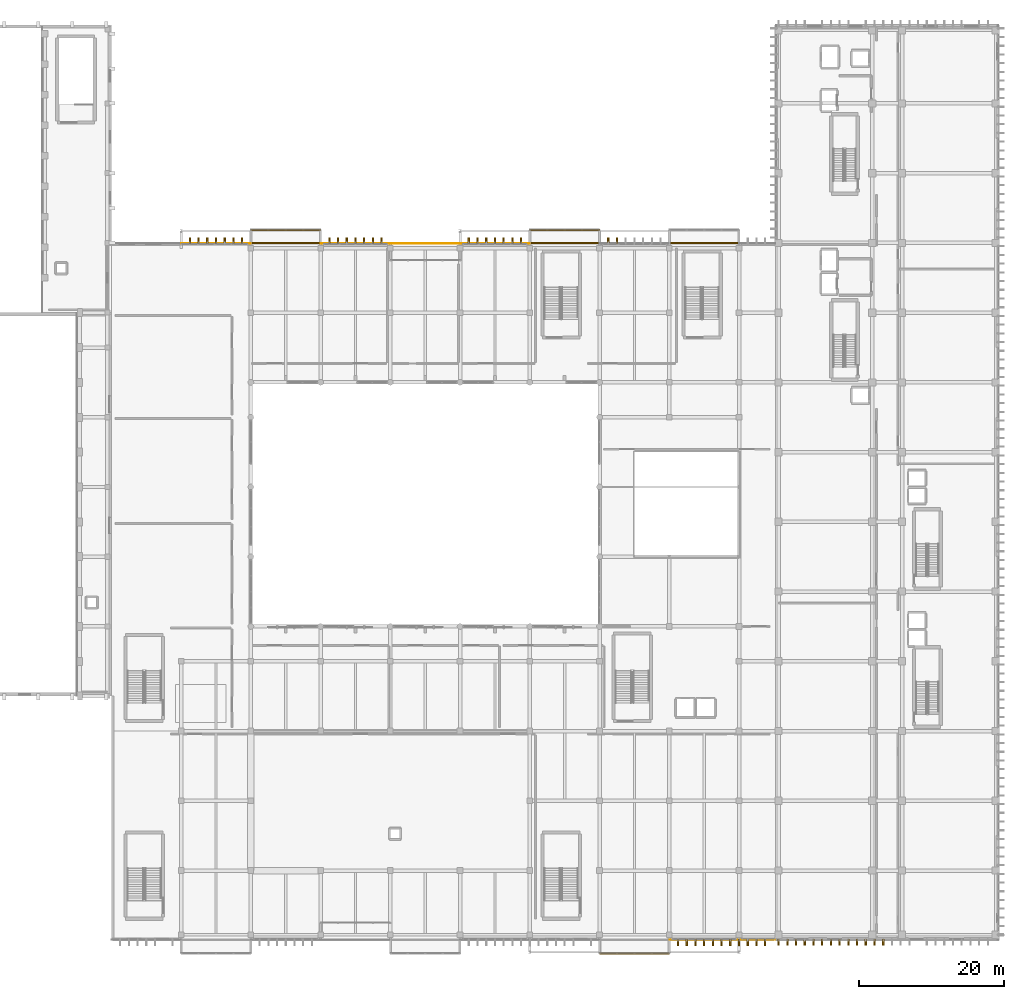
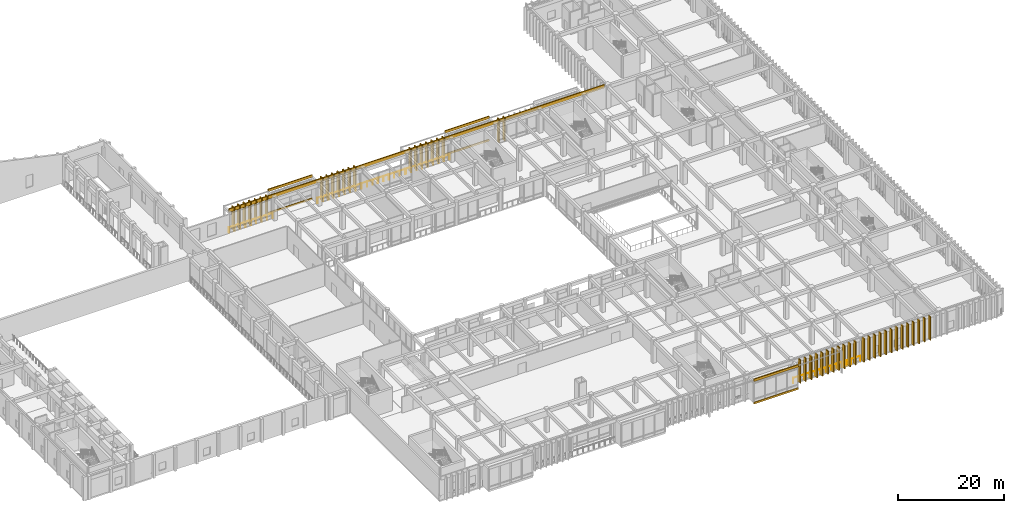
# One storey, part 126 of 134: 54 coverings, 47 shading devices, 6 railings.
"""IFC4 building model written with IfcOpenShell, lengths in metres."""

from ifc_helpers import new_model, si_unit, direction, frame, origin, origin_2d, place, context, subcontext, project, spatial, rectangle, circle, extrude, material, layer, layer_set, type_object, element, save


model = new_model("IFC4")

# Units and contexts
model_context = context("Model", 3, precision=1e-05, world=origin(), true_north=direction((0.0, 1.0)))
body_context = subcontext(model_context, "Body", "Model", "MODEL_VIEW")
ifc_project = project(units=[si_unit("LENGTHUNIT", "METRE"), si_unit("AREAUNIT", "SQUARE_METRE"), si_unit("VOLUMEUNIT", "CUBIC_METRE"), si_unit("PLANEANGLEUNIT", "RADIAN"), si_unit("MASSUNIT", "GRAM", prefix="KILO")], contexts=[model_context])

# Site, building, storey
site_placement = place(None, origin())
site = spatial("IfcSite", under=ifc_project, at=site_placement, CompositionType="ELEMENT")
building_placement = place(site_placement, origin())
building = spatial("IfcBuilding", under=site, at=building_placement, Name="Nakhvara Creek Congress Hotel", CompositionType="ELEMENT")
storey_placement = place(building_placement, frame((0.0, 0.0, 6.0)))
storey = spatial("IfcBuildingStorey", under=building, at=storey_placement, Name="L01", CompositionType="ELEMENT", Elevation=6.0)

# Coverings
ifc_material_1 = material(Name="Honed pale Omani limestone architectural cladding", Category="masonry")
ifc_layer_1 = layer(ifc_material_1, 0.219970703125)
ifc_layer_set_1 = layer_set([ifc_layer_1], Name="Honed pale Omani limestone architectural cladding")
covering_type_1 = type_object("IfcCoveringType", Name="COV-FIN-850", PredefinedType="CLADDING", material=ifc_layer_set_1)
for number, where, z_axis, x_axis, name in (
    (1, (135.60009765625, -0.304931640625, 0.0), (0.0, 0.0, 1.0), (1.0, 0.0, 0.0), "Pale Limestone Fin Cladding CF01-0175"),
    (2, (136.800048828125, -0.304931640625, 0.0), (0.0, 0.0, 1.0), (1.0, 0.0, 0.0), "Pale Limestone Fin Cladding CF01-0176"),
    (3, (138.0, -0.304931640625, 0.0), (0.0, 0.0, 1.0), (1.0, 0.0, 0.0), "Pale Limestone Fin Cladding CF01-0177"),
    (4, (139.199951171875, -0.304931640625, 0.0), (0.0, 0.0, 1.0), (1.0, 0.0, 0.0), "Pale Limestone Fin Cladding CF01-0178"),
    (5, (140.39990234375, -0.304931640625, 0.0), (0.0, 0.0, 1.0), (1.0, 0.0, 0.0), "Pale Limestone Fin Cladding CF01-0179"),
    (6, (141.60009765625, -0.304931640625, 0.0), (0.0, 0.0, 1.0), (1.0, 0.0, 0.0), "Pale Limestone Fin Cladding CF01-0180"),
    (7, (142.800048828125, -0.304931640625, 0.0), (0.0, 0.0, 1.0), (1.0, 0.0, 0.0), "Pale Limestone Fin Cladding CF01-0181"),
    (8, (144.0, -0.304931640625, 0.0), (0.0, 0.0, 1.0), (1.0, 0.0, 0.0), "Pale Limestone Fin Cladding CF01-0182"),
    (9, (145.199951171875, -0.304931640625, 0.0), (0.0, 0.0, 1.0), (1.0, 0.0, 0.0), "Pale Limestone Fin Cladding CF01-0183"),
    (10, (146.39990234375, -0.304931640625, 0.0), (0.0, 0.0, 1.0), (1.0, 0.0, 0.0), "Pale Limestone Fin Cladding CF01-0184"),
    (11, (147.60009765625, -0.304931640625, 0.0), (0.0, 0.0, 1.0), (1.0, 0.0, 0.0), "Pale Limestone Fin Cladding CF01-0185"),
    (12, (68.39990234375, 96.304931640625, 0.0), (0.0, 0.0, 1.0), (1.0, 0.0, 0.0), "Pale Limestone Fin Cladding CF01-0186"),
    (13, (69.60009765625, 96.304931640625, 0.0), (0.0, 0.0, 1.0), (1.0, 0.0, 0.0), "Pale Limestone Fin Cladding CF01-0187"),
    (14, (70.800048828125, 96.304931640625, 0.0), (0.0, 0.0, 1.0), (1.0, 0.0, 0.0), "Pale Limestone Fin Cladding CF01-0188"),
    (15, (72.0, 96.304931640625, 0.0), (0.0, 0.0, 1.0), (1.0, 0.0, 0.0), "Pale Limestone Fin Cladding CF01-0189"),
    (16, (73.199951171875, 96.304931640625, 0.0), (0.0, 0.0, 1.0), (1.0, 0.0, 0.0), "Pale Limestone Fin Cladding CF01-0190"),
    (17, (74.39990234375, 96.304931640625, 0.0), (0.0, 0.0, 1.0), (1.0, 0.0, 0.0), "Pale Limestone Fin Cladding CF01-0191"),
    (18, (75.60009765625, 96.304931640625, 0.0), (0.0, 0.0, 1.0), (1.0, 0.0, 0.0), "Pale Limestone Fin Cladding CF01-0192"),
    (19, (87.60009765625, 96.304931640625, 0.0), (0.0, 0.0, 1.0), (1.0, 0.0, 0.0), "Pale Limestone Fin Cladding CF01-0193"),
    (20, (88.800048828125, 96.304931640625, 0.0), (0.0, 0.0, 1.0), (1.0, 0.0, 0.0), "Pale Limestone Fin Cladding CF01-0194"),
    (21, (90.0, 96.304931640625, 0.0), (0.0, 0.0, 1.0), (1.0, 0.0, 0.0), "Pale Limestone Fin Cladding CF01-0195"),
    (22, (91.199951171875, 96.304931640625, 0.0), (0.0, 0.0, 1.0), (1.0, 0.0, 0.0), "Pale Limestone Fin Cladding CF01-0196"),
    (23, (92.39990234375, 96.304931640625, 0.0), (0.0, 0.0, 1.0), (1.0, 0.0, 0.0), "Pale Limestone Fin Cladding CF01-0197"),
    (24, (93.60009765625, 96.304931640625, 0.0), (0.0, 0.0, 1.0), (1.0, 0.0, 0.0), "Pale Limestone Fin Cladding CF01-0198"),
    (25, (94.800048828125, 96.304931640625, 0.0), (0.0, 0.0, 1.0), (1.0, 0.0, 0.0), "Pale Limestone Fin Cladding CF01-0199"),
    (26, (106.800048828125, 96.304931640625, 0.0), (0.0, 0.0, 1.0), (1.0, 0.0, 0.0), "Pale Limestone Fin Cladding CF01-0200"),
    (27, (108.0, 96.304931640625, 0.0), (0.0, 0.0, 1.0), (1.0, 0.0, 0.0), "Pale Limestone Fin Cladding CF01-0201"),
    (28, (109.199951171875, 96.304931640625, 0.0), (0.0, 0.0, 1.0), (1.0, 0.0, 0.0), "Pale Limestone Fin Cladding CF01-0202"),
    (29, (110.39990234375, 96.304931640625, 0.0), (0.0, 0.0, 1.0), (1.0, 0.0, 0.0), "Pale Limestone Fin Cladding CF01-0203"),
    (30, (111.60009765625, 96.304931640625, 0.0), (0.0, 0.0, 1.0), (1.0, 0.0, 0.0), "Pale Limestone Fin Cladding CF01-0204"),
    (31, (112.800048828125, 96.304931640625, 0.0), (0.0, 0.0, 1.0), (1.0, 0.0, 0.0), "Pale Limestone Fin Cladding CF01-0205"),
    (32, (114.0, 96.304931640625, 0.0), (0.0, 0.0, 1.0), (1.0, 0.0, 0.0), "Pale Limestone Fin Cladding CF01-0206"),
    (33, (126.0, 96.304931640625, 0.0), (0.0, 0.0, 1.0), (1.0, 0.0, 0.0), "Pale Limestone Fin Cladding CF01-0207"),
    (34, (127.199951171875, 96.304931640625, 0.0), (0.0, 0.0, 1.0), (1.0, 0.0, 0.0), "Pale Limestone Fin Cladding CF01-0208"),
):
    element("IfcCovering", number, at=place(storey_placement, frame(where, z_axis=z_axis, x_axis=x_axis)), inside=storey, type_object=covering_type_1, Name=name, PredefinedType="CLADDING", context=body_context, shape_type="SweptSolid", body=[
        extrude(rectangle(XDim=0.219970703125, YDim=0.85009765625, at=origin_2d()), origin(), (0.0, 0.0, 1.0), 5.320068359375),
    ])
for number, where, z_axis, x_axis, name in (
    (35, (149.449951171875, -0.264892578125, 0.0), (0.0, 0.0, 1.0), (1.0, 0.0, 0.0), "Pale Limestone Fin Cladding CF01-0808"),
    (36, (150.64990234375, -0.264892578125, 0.0), (0.0, 0.0, 1.0), (1.0, 0.0, 0.0), "Pale Limestone Fin Cladding CF01-0810"),
    (37, (151.85009765625, -0.264892578125, 0.0), (0.0, 0.0, 1.0), (1.0, 0.0, 0.0), "Pale Limestone Fin Cladding CF01-0812"),
    (38, (153.050048828125, -0.264892578125, 0.0), (0.0, 0.0, 1.0), (1.0, 0.0, 0.0), "Pale Limestone Fin Cladding CF01-0814"),
    (39, (154.25, -0.264892578125, 0.0), (0.0, 0.0, 1.0), (1.0, 0.0, 0.0), "Pale Limestone Fin Cladding CF01-0815"),
    (40, (155.449951171875, -0.264892578125, 0.0), (0.0, 0.0, 1.0), (1.0, 0.0, 0.0), "Pale Limestone Fin Cladding CF01-0817"),
    (41, (156.64990234375, -0.264892578125, 0.0), (0.0, 0.0, 1.0), (1.0, 0.0, 0.0), "Pale Limestone Fin Cladding CF01-0819"),
    (42, (157.85009765625, -0.264892578125, 0.0), (0.0, 0.0, 1.0), (1.0, 0.0, 0.0), "Pale Limestone Fin Cladding CF01-0821"),
    (43, (159.050048828125, -0.264892578125, 0.0), (0.0, 0.0, 1.0), (1.0, 0.0, 0.0), "Pale Limestone Fin Cladding CF01-0823"),
    (44, (160.25, -0.264892578125, 0.0), (0.0, 0.0, 1.0), (1.0, 0.0, 0.0), "Pale Limestone Fin Cladding CF01-0824"),
    (45, (161.449951171875, -0.264892578125, 0.0), (0.0, 0.0, 1.0), (1.0, 0.0, 0.0), "Pale Limestone Fin Cladding CF01-0826"),
    (46, (162.64990234375, -0.264892578125, 0.0), (0.0, 0.0, 1.0), (1.0, 0.0, 0.0), "Pale Limestone Fin Cladding CF01-0828"),
    (47, (163.85009765625, -0.264892578125, 0.0), (0.0, 0.0, 1.0), (1.0, 0.0, 0.0), "Pale Limestone Fin Cladding CF01-0830"),
):
    element("IfcCovering", number, at=place(storey_placement, frame(where, z_axis=z_axis, x_axis=x_axis)), inside=storey, type_object=covering_type_1, Name=name, PredefinedType="CLADDING", context=body_context, shape_type="SweptSolid", body=[
        extrude(rectangle(XDim=0.219970703125, YDim=0.85009765625, at=origin_2d()), origin(), (0.0, 0.0, 1.0), 5.360107421875),
    ])
ifc_layer_2 = layer(ifc_material_1, 0.179931640625)
ifc_layer_set_2 = layer_set([ifc_layer_2], Name="Honed pale Omani limestone architectural cladding")
covering_type_2 = type_object("IfcCoveringType", Name="COV-SPN-180", PredefinedType="CLADDING", material=ifc_layer_set_2)
covering_1_placement = place(storey_placement, frame((108.0, 95.989990234375, 4.64013671875), z_axis=(0.0, 0.0, 1.0), x_axis=(1.0, 0.0, 0.0)))
element("IfcCovering", 48, at=covering_1_placement, inside=storey, type_object=covering_type_2, Name="Pale Limestone Spandrel Band CF02-0004", PredefinedType="CLADDING", context=body_context, shape_type="SweptSolid", body=[
    extrude(rectangle(XDim=81.60009765625, YDim=0.219970703125, at=origin_2d()), origin(), (0.0, 0.0, 1.0), 0.780029296875),
])
covering_2_placement = place(storey_placement, frame((81.60009765625, 97.800048828125, -0.260009765625), z_axis=(0.0, 0.0, 1.0), x_axis=(1.0, 0.0, 0.0)))
element("IfcCovering", 49, at=covering_2_placement, inside=storey, type_object=covering_type_2, Name="Pale Limestone Spandrel Band CF02-0006", PredefinedType="CLADDING", context=body_context, shape_type="SweptSolid", body=[
    extrude(rectangle(XDim=9.60009765625, YDim=0.199951171875, at=origin_2d()), origin(), (0.0, 0.0, 1.0), 0.419921875),
])
covering_3_placement = place(storey_placement, frame((81.60009765625, 97.800048828125, 4.89990234375), z_axis=(0.0, 0.0, 1.0), x_axis=(1.0, 0.0, 0.0)))
element("IfcCovering", 50, at=covering_3_placement, inside=storey, type_object=covering_type_2, Name="Pale Limestone Spandrel Band CF02-0007", PredefinedType="CLADDING", context=body_context, shape_type="SweptSolid", body=[
    extrude(rectangle(XDim=9.60009765625, YDim=0.199951171875, at=origin_2d()), origin(), (0.0, 0.0, 1.0), 0.56005859375),
])
covering_4_placement = place(storey_placement, frame((120.0, 97.800048828125, -0.260009765625), z_axis=(0.0, 0.0, 1.0), x_axis=(1.0, 0.0, 0.0)))
element("IfcCovering", 51, at=covering_4_placement, inside=storey, type_object=covering_type_2, Name="Pale Limestone Spandrel Band CF02-0008", PredefinedType="CLADDING", context=body_context, shape_type="SweptSolid", body=[
    extrude(rectangle(XDim=9.60009765625, YDim=0.199951171875, at=origin_2d()), origin(), (0.0, 0.0, 1.0), 0.419921875),
])
covering_5_placement = place(storey_placement, frame((120.0, 97.800048828125, 4.89990234375), z_axis=(0.0, 0.0, 1.0), x_axis=(1.0, 0.0, 0.0)))
element("IfcCovering", 52, at=covering_5_placement, inside=storey, type_object=covering_type_2, Name="Pale Limestone Spandrel Band CF02-0009", PredefinedType="CLADDING", context=body_context, shape_type="SweptSolid", body=[
    extrude(rectangle(XDim=9.60009765625, YDim=0.199951171875, at=origin_2d()), origin(), (0.0, 0.0, 1.0), 0.56005859375),
])
covering_6_placement = place(storey_placement, frame((129.60009765625, -1.800048828125, -0.260009765625), z_axis=(0.0, 0.0, 1.0), x_axis=(1.0, 0.0, 0.0)))
element("IfcCovering", 53, at=covering_6_placement, inside=storey, type_object=covering_type_2, Name="Pale Limestone Spandrel Band CF02-0016", PredefinedType="CLADDING", context=body_context, shape_type="SweptSolid", body=[
    extrude(rectangle(XDim=9.60009765625, YDim=0.199951171875, at=origin_2d()), origin(), (0.0, 0.0, 1.0), 0.419921875),
])
covering_7_placement = place(storey_placement, frame((129.60009765625, -1.800048828125, 4.89990234375), z_axis=(0.0, 0.0, 1.0), x_axis=(1.0, 0.0, 0.0)))
element("IfcCovering", 54, at=covering_7_placement, inside=storey, type_object=covering_type_2, Name="Pale Limestone Spandrel Band CF02-0017", PredefinedType="CLADDING", context=body_context, shape_type="SweptSolid", body=[
    extrude(rectangle(XDim=9.60009765625, YDim=0.199951171875, at=origin_2d()), origin(), (0.0, 0.0, 1.0), 0.56005859375),
])

# Railings
ifc_material_2 = material(Name="Bronze-anodised aluminium and laminated safety glass balustrade", Category="aluminium")
railing_type_1 = type_object("IfcRailingType", Name="RL-BALUS-1200", PredefinedType="BALUSTRADE", material=ifc_material_2)
railing_1_placement = place(storey_placement, frame((96.080078125, 95.919921875, 0.0)))
element("IfcRailing", 55, at=railing_1_placement, inside=storey, type_object=railing_type_1, Name="Recessed Loggia Balustrade RBOX-L01-N1", PredefinedType="BALUSTRADE", context=body_context, shape_type="SweptSolid", body=[
    extrude(circle(Radius=0.02392578125, at=origin_2d()), frame((0.0146484375, 0.0, 1.17578125), z_axis=(1.0, 0.0, 0.0), x_axis=(0.0, 1.0, 0.0)), (0.0, 0.0, 1.0), 9.41064453125),
    extrude(circle(Radius=0.02099609375, at=origin_2d()), origin(), (0.0, 0.0, 1.0), 1.1806640625),
    extrude(circle(Radius=0.02099609375, at=origin_2d()), frame((1.179931640625, 0.0, 0.0)), (0.0, 0.0, 1.0), 1.1806640625),
    extrude(circle(Radius=0.02099609375, at=origin_2d()), frame((2.35986328125, 0.0, 0.0)), (0.0, 0.0, 1.0), 1.1806640625),
    extrude(circle(Radius=0.02099609375, at=origin_2d()), frame((3.5400390625, 0.0, 0.0)), (0.0, 0.0, 1.0), 1.1806640625),
    extrude(circle(Radius=0.02099609375, at=origin_2d()), frame((4.719970703125, 0.0, 0.0)), (0.0, 0.0, 1.0), 1.1806640625),
    extrude(circle(Radius=0.02099609375, at=origin_2d()), frame((5.89990234375, 0.0, 0.0)), (0.0, 0.0, 1.0), 1.1806640625),
    extrude(circle(Radius=0.02099609375, at=origin_2d()), frame((7.080078125, 0.0, 0.0)), (0.0, 0.0, 1.0), 1.1806640625),
    extrude(circle(Radius=0.02099609375, at=origin_2d()), frame((8.260009765625, 0.0, 0.0)), (0.0, 0.0, 1.0), 1.1806640625),
    extrude(circle(Radius=0.02099609375, at=origin_2d()), frame((9.43994140625, 0.0, 0.0)), (0.0, 0.0, 1.0), 1.1806640625),
])
ifc_material_3 = material(Name="Brushed stainless steel 316L", Category="steel")
railing_type_2 = type_object("IfcRailingType", Name="RL-GUARD-1200", PredefinedType="GUARDRAIL", material=ifc_material_3)
for number, where, name in (
    (56, (67.260009765625, 95.919921875, 0.0), "North Conference Edge Guard L01-67"),
    (57, (86.4599609375, 95.919921875, 0.0), "North Conference Edge Guard L01-86"),
    (58, (105.659912109375, 95.919921875, 0.0), "North Conference Edge Guard L01-105"),
    (59, (134.4599609375, 0.080078125, 0.0), "South Spa Facade Safety Rail L01-134"),
):
    element("IfcRailing", number, at=place(storey_placement, frame(where)), inside=storey, type_object=railing_type_2, Name=name, PredefinedType="GUARDRAIL", context=body_context, shape_type="SweptSolid", body=[
        extrude(circle(Radius=0.02392578125, at=origin_2d()), frame((0.0146484375, 0.0, 1.17578125), z_axis=(1.0, 0.0, 0.0), x_axis=(0.0, 1.0, 0.0)), (0.0, 0.0, 1.0), 9.45068359375),
        extrude(circle(Radius=0.02099609375, at=origin_2d()), origin(), (0.0, 0.0, 1.0), 1.1806640625),
        extrude(circle(Radius=0.02099609375, at=origin_2d()), frame((1.18505859375, 0.0, 0.0)), (0.0, 0.0, 1.0), 1.1806640625),
        extrude(circle(Radius=0.02099609375, at=origin_2d()), frame((2.3701171875, 0.0, 0.0)), (0.0, 0.0, 1.0), 1.1806640625),
        extrude(circle(Radius=0.02099609375, at=origin_2d()), frame((3.554931640625, 0.0, 0.0)), (0.0, 0.0, 1.0), 1.1806640625),
        extrude(circle(Radius=0.02099609375, at=origin_2d()), frame((4.739990234375, 0.0, 0.0)), (0.0, 0.0, 1.0), 1.1806640625),
        extrude(circle(Radius=0.02099609375, at=origin_2d()), frame((5.925048828125, 0.0, 0.0)), (0.0, 0.0, 1.0), 1.1806640625),
        extrude(circle(Radius=0.02099609375, at=origin_2d()), frame((7.10986328125, 0.0, 0.0)), (0.0, 0.0, 1.0), 1.1806640625),
        extrude(circle(Radius=0.02099609375, at=origin_2d()), frame((8.294921875, 0.0, 0.0)), (0.0, 0.0, 1.0), 1.1806640625),
        extrude(circle(Radius=0.02099609375, at=origin_2d()), frame((9.47998046875, 0.0, 0.0)), (0.0, 0.0, 1.0), 1.1806640625),
    ])
railing_2_placement = place(storey_placement, frame((144.06005859375, 0.080078125, 0.0)))
element("IfcRailing", 60, at=railing_2_placement, inside=storey, type_object=railing_type_2, Name="South Spa Facade Safety Rail L01-144", PredefinedType="GUARDRAIL", context=body_context, shape_type="SweptSolid", body=[
    extrude(circle(Radius=0.02392578125, at=origin_2d()), frame((0.0146484375, 0.0, 1.17578125), z_axis=(1.0, 0.0, 0.0), x_axis=(0.0, 1.0, 0.0)), (0.0, 0.0, 1.0), 4.900634765625),
    extrude(circle(Radius=0.02099609375, at=origin_2d()), origin(), (0.0, 0.0, 1.0), 1.1806640625),
    extrude(circle(Radius=0.02099609375, at=origin_2d()), frame((0.986083984375, 0.0, 0.0)), (0.0, 0.0, 1.0), 1.1806640625),
    extrude(circle(Radius=0.02099609375, at=origin_2d()), frame((1.971923828125, 0.0, 0.0)), (0.0, 0.0, 1.0), 1.1806640625),
    extrude(circle(Radius=0.02099609375, at=origin_2d()), frame((2.9580078125, 0.0, 0.0)), (0.0, 0.0, 1.0), 1.1806640625),
    extrude(circle(Radius=0.02099609375, at=origin_2d()), frame((3.94384765625, 0.0, 0.0)), (0.0, 0.0, 1.0), 1.1806640625),
    extrude(circle(Radius=0.02099609375, at=origin_2d()), frame((4.929931640625, 0.0, 0.0)), (0.0, 0.0, 1.0), 1.1806640625),
])

# Shading devices
ifc_material_4 = material(Name="Honed pale Omani limestone cladding on stainless steel spine", Category="masonry")
shading_device_type = type_object("IfcShadingDeviceType", Name="SHD-FIN-850X4700", PredefinedType="USERDEFINED", material=ifc_material_4)
for number, where, z_axis, x_axis, name in (
    (61, (135.60009765625, -0.304931640625, 0.0), (0.0, 0.0, 1.0), (1.0, 0.0, 0.0), "Limestone Solar Fin FN02-0175"),
    (62, (136.800048828125, -0.304931640625, 0.0), (0.0, 0.0, 1.0), (1.0, 0.0, 0.0), "Limestone Solar Fin FN02-0176"),
    (63, (138.0, -0.304931640625, 0.0), (0.0, 0.0, 1.0), (1.0, 0.0, 0.0), "Limestone Solar Fin FN02-0177"),
    (64, (139.199951171875, -0.304931640625, 0.0), (0.0, 0.0, 1.0), (1.0, 0.0, 0.0), "Limestone Solar Fin FN02-0178"),
    (65, (140.39990234375, -0.304931640625, 0.0), (0.0, 0.0, 1.0), (1.0, 0.0, 0.0), "Limestone Solar Fin FN02-0179"),
    (66, (141.60009765625, -0.304931640625, 0.0), (0.0, 0.0, 1.0), (1.0, 0.0, 0.0), "Limestone Solar Fin FN02-0180"),
    (67, (142.800048828125, -0.304931640625, 0.0), (0.0, 0.0, 1.0), (1.0, 0.0, 0.0), "Limestone Solar Fin FN02-0181"),
    (68, (144.0, -0.304931640625, 0.0), (0.0, 0.0, 1.0), (1.0, 0.0, 0.0), "Limestone Solar Fin FN02-0182"),
    (69, (145.199951171875, -0.304931640625, 0.0), (0.0, 0.0, 1.0), (1.0, 0.0, 0.0), "Limestone Solar Fin FN02-0183"),
    (70, (146.39990234375, -0.304931640625, 0.0), (0.0, 0.0, 1.0), (1.0, 0.0, 0.0), "Limestone Solar Fin FN02-0184"),
    (71, (147.60009765625, -0.304931640625, 0.0), (0.0, 0.0, 1.0), (1.0, 0.0, 0.0), "Limestone Solar Fin FN02-0185"),
    (72, (68.39990234375, 96.304931640625, 0.0), (0.0, 0.0, 1.0), (1.0, 0.0, 0.0), "Limestone Solar Fin FN02-0186"),
    (73, (69.60009765625, 96.304931640625, 0.0), (0.0, 0.0, 1.0), (1.0, 0.0, 0.0), "Limestone Solar Fin FN02-0187"),
    (74, (70.800048828125, 96.304931640625, 0.0), (0.0, 0.0, 1.0), (1.0, 0.0, 0.0), "Limestone Solar Fin FN02-0188"),
    (75, (72.0, 96.304931640625, 0.0), (0.0, 0.0, 1.0), (1.0, 0.0, 0.0), "Limestone Solar Fin FN02-0189"),
    (76, (73.199951171875, 96.304931640625, 0.0), (0.0, 0.0, 1.0), (1.0, 0.0, 0.0), "Limestone Solar Fin FN02-0190"),
    (77, (74.39990234375, 96.304931640625, 0.0), (0.0, 0.0, 1.0), (1.0, 0.0, 0.0), "Limestone Solar Fin FN02-0191"),
    (78, (75.60009765625, 96.304931640625, 0.0), (0.0, 0.0, 1.0), (1.0, 0.0, 0.0), "Limestone Solar Fin FN02-0192"),
    (79, (87.60009765625, 96.304931640625, 0.0), (0.0, 0.0, 1.0), (1.0, 0.0, 0.0), "Limestone Solar Fin FN02-0193"),
    (80, (88.800048828125, 96.304931640625, 0.0), (0.0, 0.0, 1.0), (1.0, 0.0, 0.0), "Limestone Solar Fin FN02-0194"),
    (81, (90.0, 96.304931640625, 0.0), (0.0, 0.0, 1.0), (1.0, 0.0, 0.0), "Limestone Solar Fin FN02-0195"),
    (82, (91.199951171875, 96.304931640625, 0.0), (0.0, 0.0, 1.0), (1.0, 0.0, 0.0), "Limestone Solar Fin FN02-0196"),
    (83, (92.39990234375, 96.304931640625, 0.0), (0.0, 0.0, 1.0), (1.0, 0.0, 0.0), "Limestone Solar Fin FN02-0197"),
    (84, (93.60009765625, 96.304931640625, 0.0), (0.0, 0.0, 1.0), (1.0, 0.0, 0.0), "Limestone Solar Fin FN02-0198"),
    (85, (94.800048828125, 96.304931640625, 0.0), (0.0, 0.0, 1.0), (1.0, 0.0, 0.0), "Limestone Solar Fin FN02-0199"),
    (86, (106.800048828125, 96.304931640625, 0.0), (0.0, 0.0, 1.0), (1.0, 0.0, 0.0), "Limestone Solar Fin FN02-0200"),
    (87, (108.0, 96.304931640625, 0.0), (0.0, 0.0, 1.0), (1.0, 0.0, 0.0), "Limestone Solar Fin FN02-0201"),
    (88, (109.199951171875, 96.304931640625, 0.0), (0.0, 0.0, 1.0), (1.0, 0.0, 0.0), "Limestone Solar Fin FN02-0202"),
    (89, (110.39990234375, 96.304931640625, 0.0), (0.0, 0.0, 1.0), (1.0, 0.0, 0.0), "Limestone Solar Fin FN02-0203"),
    (90, (111.60009765625, 96.304931640625, 0.0), (0.0, 0.0, 1.0), (1.0, 0.0, 0.0), "Limestone Solar Fin FN02-0204"),
    (91, (112.800048828125, 96.304931640625, 0.0), (0.0, 0.0, 1.0), (1.0, 0.0, 0.0), "Limestone Solar Fin FN02-0205"),
    (92, (114.0, 96.304931640625, 0.0), (0.0, 0.0, 1.0), (1.0, 0.0, 0.0), "Limestone Solar Fin FN02-0206"),
    (93, (126.0, 96.304931640625, 0.0), (0.0, 0.0, 1.0), (1.0, 0.0, 0.0), "Limestone Solar Fin FN02-0207"),
    (94, (127.199951171875, 96.304931640625, 0.0), (0.0, 0.0, 1.0), (1.0, 0.0, 0.0), "Limestone Solar Fin FN02-0208"),
):
    element("IfcShadingDevice", number, at=place(storey_placement, frame(where, z_axis=z_axis, x_axis=x_axis)), inside=storey, type_object=shading_device_type, Name=name, ObjectType="FIN", PredefinedType="USERDEFINED", context=body_context, shape_type="SweptSolid", body=[
        extrude(rectangle(XDim=0.199951171875, YDim=0.85009765625, at=origin_2d()), origin(), (0.0, 0.0, 1.0), 5.320068359375),
    ])
for number, where, z_axis, x_axis, name in (
    (95, (149.449951171875, -0.264892578125, 0.0), (0.0, 0.0, 1.0), (1.0, 0.0, 0.0), "Limestone Solar Fin FN02-0673"),
    (96, (150.64990234375, -0.264892578125, 0.0), (0.0, 0.0, 1.0), (1.0, 0.0, 0.0), "Limestone Solar Fin FN02-0675"),
    (97, (151.85009765625, -0.264892578125, 0.0), (0.0, 0.0, 1.0), (1.0, 0.0, 0.0), "Limestone Solar Fin FN02-0677"),
    (98, (153.050048828125, -0.264892578125, 0.0), (0.0, 0.0, 1.0), (1.0, 0.0, 0.0), "Limestone Solar Fin FN02-0679"),
    (99, (154.25, -0.264892578125, 0.0), (0.0, 0.0, 1.0), (1.0, 0.0, 0.0), "Limestone Solar Fin FN02-0680"),
    (100, (155.449951171875, -0.264892578125, 0.0), (0.0, 0.0, 1.0), (1.0, 0.0, 0.0), "Limestone Solar Fin FN02-0682"),
    (101, (156.64990234375, -0.264892578125, 0.0), (0.0, 0.0, 1.0), (1.0, 0.0, 0.0), "Limestone Solar Fin FN02-0684"),
    (102, (157.85009765625, -0.264892578125, 0.0), (0.0, 0.0, 1.0), (1.0, 0.0, 0.0), "Limestone Solar Fin FN02-0686"),
    (103, (159.050048828125, -0.264892578125, 0.0), (0.0, 0.0, 1.0), (1.0, 0.0, 0.0), "Limestone Solar Fin FN02-0688"),
    (104, (160.25, -0.264892578125, 0.0), (0.0, 0.0, 1.0), (1.0, 0.0, 0.0), "Limestone Solar Fin FN02-0689"),
    (105, (161.449951171875, -0.264892578125, 0.0), (0.0, 0.0, 1.0), (1.0, 0.0, 0.0), "Limestone Solar Fin FN02-0691"),
    (106, (162.64990234375, -0.264892578125, 0.0), (0.0, 0.0, 1.0), (1.0, 0.0, 0.0), "Limestone Solar Fin FN02-0693"),
    (107, (163.85009765625, -0.264892578125, 0.0), (0.0, 0.0, 1.0), (1.0, 0.0, 0.0), "Limestone Solar Fin FN02-0695"),
):
    element("IfcShadingDevice", number, at=place(storey_placement, frame(where, z_axis=z_axis, x_axis=x_axis)), inside=storey, type_object=shading_device_type, Name=name, ObjectType="FIN", PredefinedType="USERDEFINED", context=body_context, shape_type="SweptSolid", body=[
        extrude(rectangle(XDim=0.199951171875, YDim=0.85009765625, at=origin_2d()), origin(), (0.0, 0.0, 1.0), 5.360107421875),
    ])

save(model, "model.ifc")
